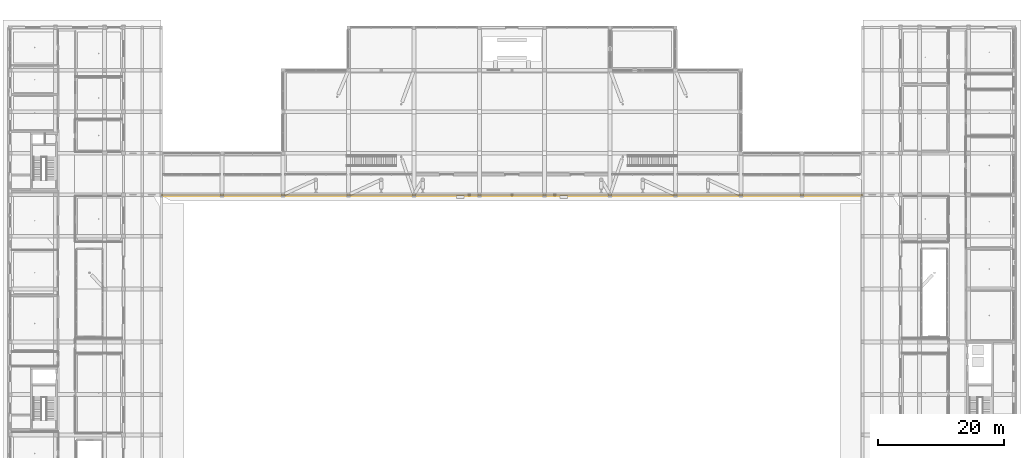
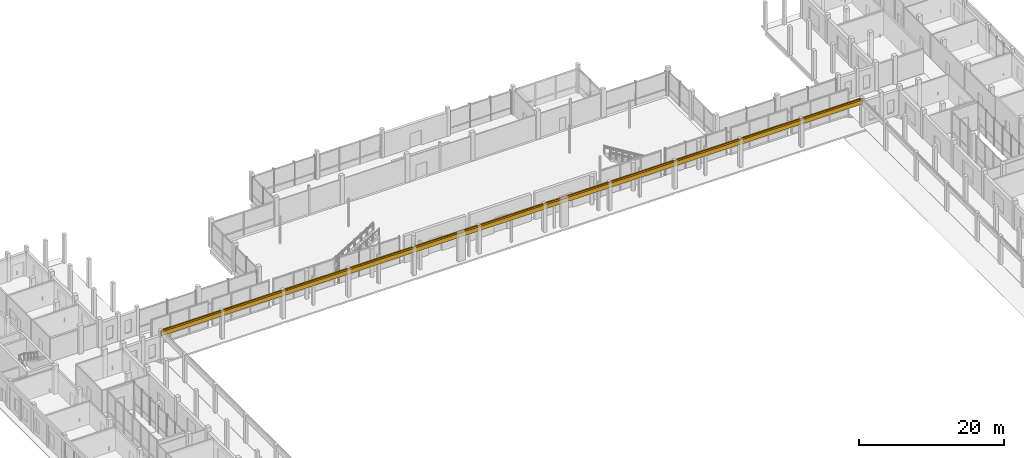
# One storey, part 79 of 88: 2 coverings.
"""IFC4 building model written with IfcOpenShell, lengths in metres."""

from ifc_helpers import new_model, si_unit, derived_unit, direction, frame, origin, origin_2d, place, context, subcontext, project, spatial, rectangle, extrude, material, layer, layer_set, type_object, element, save


model = new_model("IFC4")

# Units and contexts
model_context = context("Model", 3, precision=1e-05, world=origin(), true_north=direction((0.0, 1.0)))
body_context = subcontext(model_context, "Body", "Model", "MODEL_VIEW")
ifc_project = project(units=[si_unit("LENGTHUNIT", "METRE"), si_unit("AREAUNIT", "SQUARE_METRE"), si_unit("VOLUMEUNIT", "CUBIC_METRE"), si_unit("PLANEANGLEUNIT", "RADIAN"), si_unit("MASSUNIT", "GRAM", prefix="KILO"), derived_unit("THERMALTRANSMITTANCEUNIT", [(si_unit("POWERUNIT", "WATT"), 1), (si_unit("LENGTHUNIT", "METRE"), -2), (si_unit("THERMODYNAMICTEMPERATUREUNIT", "KELVIN"), -1)])], contexts=[model_context])

# Site, building, storey
site_placement = place(None, origin())
site = spatial("IfcSite", under=ifc_project, at=site_placement, CompositionType="ELEMENT")
building_placement = place(site_placement, origin())
building = spatial("IfcBuilding", under=site, at=building_placement, Name="Braskholm Square Health Centre", CompositionType="ELEMENT")
storey_placement = place(building_placement, origin())
storey = spatial("IfcBuildingStorey", under=building, at=storey_placement, Name="L01", CompositionType="ELEMENT", Elevation=0.0)

# Coverings
ifc_material_1 = material(Name="Dark patinated chevron architectural bronze", Category="aluminium")
ifc_layer_1 = layer(ifc_material_1, 0.070068359375)
ifc_layer_set_1 = layer_set([ifc_layer_1], Name="Dark patinated chevron architectural bronze")
covering_type_1 = type_object("IfcCoveringType", Name="BronzeZigguratFriezeCladding", PredefinedType="CLADDING", material=ifc_layer_set_1)
covering_1_placement = place(storey_placement, frame((84.0, 87.0, 4.5400390625), z_axis=(0.0, 0.0, 1.0), x_axis=(1.0, 0.0, 0.0)))
element("IfcCovering", 1, at=covering_1_placement, inside=storey, type_object=covering_type_1, Name="Classical Art Deco architectural trim 0886", PredefinedType="CLADDING", context=body_context, shape_type="SweptSolid", body=[
    extrude(rectangle(XDim=111.800048828125, YDim=0.1201171875, at=origin_2d()), origin(), (0.0, 0.0, 1.0), 0.239990234375),
])
ifc_material_2 = material(Name="Mankato-Kasota dolomitic limestone ashlar", Category="masonry")
ifc_layer_2 = layer(ifc_material_2, 0.090087890625)
ifc_layer_set_2 = layer_set([ifc_layer_2], Name="Mankato-Kasota dolomitic limestone ashlar")
covering_type_2 = type_object("IfcCoveringType", Name="KasotaAshlarBaseCladding", PredefinedType="CLADDING", material=ifc_layer_set_2)
covering_2_placement = place(storey_placement, frame((84.0, 87.14990234375, 3.77490234375), z_axis=(0.0, 0.0, 1.0), x_axis=(1.0, 0.0, 0.0)))
element("IfcCovering", 2, at=covering_2_placement, inside=storey, type_object=covering_type_2, Name="Classical Art Deco architectural trim 0885", PredefinedType="CLADDING", context=body_context, shape_type="SweptSolid", body=[
    extrude(rectangle(XDim=111.60009765625, YDim=0.239990234375, at=origin_2d()), origin(), (0.0, 0.0, 1.0), 0.949951171875),
])

save(model, "model.ifc")
